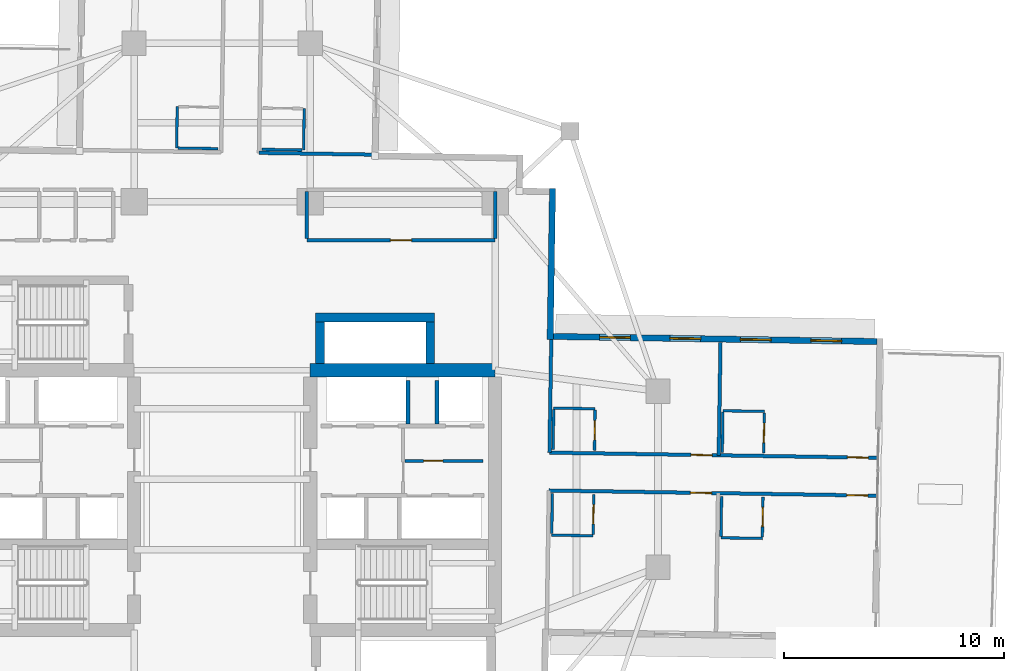
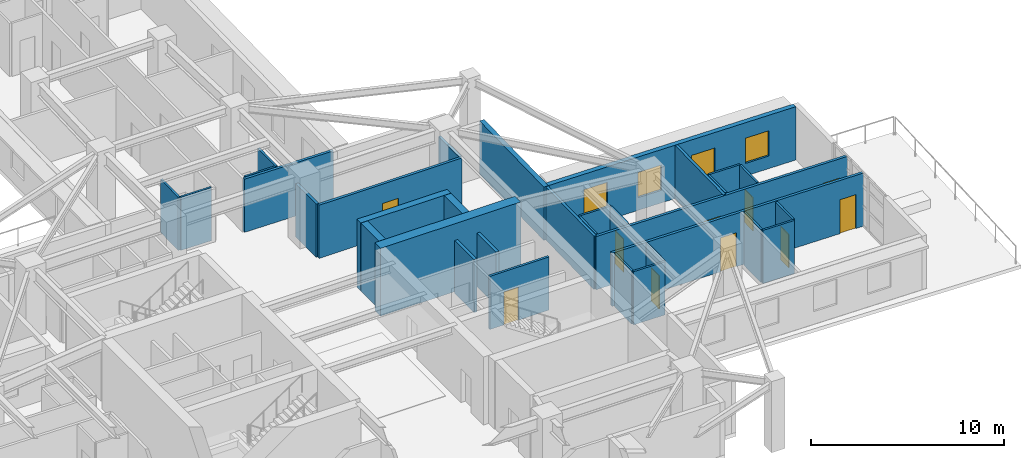
# One storey, part 15 of 22: 33 walls, 10 doors, 4 windows, 14 openings.
"""IFC4 building model written with IfcOpenShell, lengths in metres."""

import ifcopenshell
import ifcopenshell.guid

model = None  # the IFC model being written
_history = None  # IfcOwnerHistory: only IFC2X3 demands one
_inside = {}  # id of a spatial element -> (the spatial element, [elements in it])
_under = {}  # id of a project, library or spatial element -> (it, [spatial elements below it])
_declared = {}  # id of a project -> (the project, [libraries it declares])
_typed = {}  # id of a type object -> (the type object, [elements of that type])
_made_of = {}  # id of a material, layer set ... -> (it, [elements and type objects made of it])


def new_model(schema):
    """Start an empty IFC model of exactly this schema.

    Asked for "IFC4X3", IfcOpenShell would pick the latest addendum, in which some entities
    have other attributes; the version numbers below select the first issue.
    IFC2X3 requires an IfcOwnerHistory on every rooted entity: one is made here for all.
    """
    global model, _history
    if schema == "IFC4X3":
        model = ifcopenshell.file(schema_version=(4, 3, 0, 0))
    else:
        model = ifcopenshell.file(schema=schema)
    _inside.clear()
    _under.clear()
    _declared.clear()
    _typed.clear()
    _made_of.clear()
    _history = None
    if model.schema == "IFC2X3":
        org = make("IfcOrganization", Name="unknown")
        user = make(
            "IfcPersonAndOrganization",
            ThePerson=make("IfcPerson", FamilyName="unknown"),
            TheOrganization=org,
        )
        app = make(
            "IfcApplication",
            ApplicationDeveloper=org,
            Version="unknown",
            ApplicationFullName="unknown",
            ApplicationIdentifier="unknown",
        )
        _history = make(
            "IfcOwnerHistory",
            OwningUser=user,
            OwningApplication=app,
            ChangeAction="ADDED",
            CreationDate=0,
        )
    return model


def make(cls, **values):
    """One entity of the class cls with the attributes given. An attribute that is None is left unset."""
    return model.create_entity(
        cls, **{name: value for name, value in values.items() if value is not None}
    )


def rooted(cls, **values):
    """An entity with a GlobalId (a new one), such as an element, a storey or a relation."""
    return make(cls, GlobalId=ifcopenshell.guid.new(), OwnerHistory=_history, **values)


def si_unit(unit_type, name, prefix=None):
    """IfcSIUnit, for example si_unit("LENGTHUNIT", "METRE", prefix="MILLI")."""
    return make("IfcSIUnit", UnitType=unit_type, Prefix=prefix, Name=name)


def assignment(units):
    """IfcUnitAssignment: the units of a project."""
    return None if units is None else make("IfcUnitAssignment", Units=units)


def point(xyz):
    """IfcCartesianPoint."""
    return None if xyz is None else make("IfcCartesianPoint", Coordinates=xyz)


def direction(xyz):
    """IfcDirection."""
    return None if xyz is None else make("IfcDirection", DirectionRatios=xyz)


def frame(location, z_axis=None, x_axis=None):
    """IfcAxis2Placement3D, a coordinate frame: its origin and axes. An axis left out is left unset."""
    return make(
        "IfcAxis2Placement3D",
        Location=point(location),
        Axis=direction(z_axis),
        RefDirection=direction(x_axis),
    )


def frame_2d(location, x_axis=None):
    """IfcAxis2Placement2D, a coordinate frame in the plane: its origin and x axis."""
    return make(
        "IfcAxis2Placement2D", Location=point(location), RefDirection=direction(x_axis)
    )


def origin():
    """The frame at (0, 0, 0) with its axes left unset."""
    return frame((0.0, 0.0, 0.0))


def place(relative_to, where):
    """IfcLocalPlacement: puts the frame where relative to a parent placement (None: the world)."""
    return make(
        "IfcLocalPlacement", PlacementRelTo=relative_to, RelativePlacement=where
    )


def context(
    kind, dimensions, precision=None, world=None, true_north=None, identifier=None
):
    """IfcGeometricRepresentationContext, for example the 3D "Model" context."""
    return make(
        "IfcGeometricRepresentationContext",
        ContextIdentifier=identifier,
        ContextType=kind,
        CoordinateSpaceDimension=dimensions,
        Precision=precision,
        WorldCoordinateSystem=world,
        TrueNorth=true_north,
    )


def subcontext(parent, identifier, kind, view, scale=None):
    """IfcGeometricRepresentationSubContext, for example "Body" below "Model"."""
    return make(
        "IfcGeometricRepresentationSubContext",
        ContextIdentifier=identifier,
        ContextType=kind,
        ParentContext=parent,
        TargetScale=scale,
        TargetView=view,
    )


def project(units=None, contexts=None):
    """IfcProject with its units and contexts."""
    return rooted(
        "IfcProject",
        Name="project",
        RepresentationContexts=contexts,
        UnitsInContext=assignment(units),
    )


def spatial(cls, under=None, at=None, **own):
    """A site, building, storey or space (cls), placed at a placement, below another one or the project."""
    s = rooted(cls, ObjectPlacement=at, **own)
    if under is not None:
        _under.setdefault(under.id(), (under, []))[1].append(s)
    return s


def profile(cls, at=None, kind="AREA", **sizes):
    """A parametric profile (cls). Its sizes go by their IFC names, for example OverallWidth=200.0."""
    return make(cls, ProfileType=kind, Position=at, **sizes)


def rectangle(**sizes):
    """IfcRectangleProfileDef."""
    return profile("IfcRectangleProfileDef", **sizes)


def extrude(swept, where, along, depth):
    """IfcExtrudedAreaSolid: the profile swept, set in the frame where, extruded along a direction by depth."""
    return make(
        "IfcExtrudedAreaSolid",
        SweptArea=swept,
        Position=where,
        ExtrudedDirection=direction(along),
        Depth=depth,
    )


def shape(context_of_items, identifier, shape_type, items):
    """IfcShapeRepresentation: the items that make up one representation, for example the "Body"."""
    return make(
        "IfcShapeRepresentation",
        ContextOfItems=context_of_items,
        RepresentationIdentifier=identifier,
        RepresentationType=shape_type,
        Items=items,
    )


def material(Name=None, Category=None):
    """IfcMaterial."""
    return make("IfcMaterial", Name=Name, Category=Category)


def layer(
    of_material, thickness, ventilated=None, Name=None, Category=None, Priority=None
):
    """IfcMaterialLayer: one layer of a wall or slab, of a material (None: an air gap)."""
    return make(
        "IfcMaterialLayer",
        Material=of_material,
        LayerThickness=thickness,
        IsVentilated=ventilated,
        Name=Name,
        Category=Category,
        Priority=Priority,
    )


def layer_set(layers, Name=None):
    """IfcMaterialLayerSet."""
    return make("IfcMaterialLayerSet", MaterialLayers=layers, LayerSetName=Name)


def made_of(thing, what):
    """Note that an element or type object is made of a material, layer set ...; save() writes the relation."""
    if what is not None:
        _made_of.setdefault(what.id(), (what, []))[1].append(thing)
    return thing


def type_object(cls, material=None, **own):
    """A type object (cls), such as IfcWallType, which elements share."""
    return made_of(rooted(cls, **own), material)


def element(
    cls,
    number,
    at=None,
    inside=None,
    cuts=None,
    type_object=None,
    material=None,
    context=None,
    identifier="Body",
    shape_type=None,
    held_by="IfcProductDefinitionShape",
    body=None,
    shapes=None,
    **own,
):
    """One element of the class cls, such as IfcWall. Its Tag is "e" and its number.

    at: its placement. inside: the storey or other place that contains it. cuts: it is an
    opening in that element (IfcRelVoidsElement). A single representation is given by context,
    identifier, shape_type and body (its items); several are given by shapes. held_by: the class
    of the entity that holds the representations. save() writes the other relations.
    """
    e = rooted(cls, Tag="e%d" % number, ObjectPlacement=at, **own)
    if body is not None:
        shapes = [shape(context, identifier, shape_type, body)]
    if shapes is not None:
        e.Representation = make(held_by, Representations=shapes)
    if inside is not None:
        _inside.setdefault(inside.id(), (inside, []))[1].append(e)
    if cuts is not None:
        rooted(
            "IfcRelVoidsElement", RelatingBuildingElement=cuts, RelatedOpeningElement=e
        )
    if type_object is not None:
        _typed.setdefault(type_object.id(), (type_object, []))[1].append(e)
    return made_of(e, material)


def fill(opening, filler):
    """IfcRelFillsElement: the door or window that sits in an opening."""
    return rooted(
        "IfcRelFillsElement",
        RelatingOpeningElement=opening,
        RelatedBuildingElement=filler,
    )


def aggregate(whole, parts):
    """IfcRelAggregates: a whole, such as a stair, and the parts it consists of."""
    return rooted("IfcRelAggregates", RelatingObject=whole, RelatedObjects=parts)


def save(model, path):
    """Write the relations noted so far, then the file.

    IfcRelAggregates (storeys below a building ...), IfcRelContainedInSpatialStructure (elements
    in a storey), IfcRelDefinesByType, IfcRelAssociatesMaterial and IfcRelDeclares: one each for
    every whole, place, type object, material and project.
    """
    for whole, parts in _under.values():
        aggregate(whole, parts)
    for where, things in _inside.values():
        rooted(
            "IfcRelContainedInSpatialStructure",
            RelatedElements=things,
            RelatingStructure=where,
        )
    for kind, things in _typed.values():
        rooted("IfcRelDefinesByType", RelatedObjects=things, RelatingType=kind)
    for what, things in _made_of.values():
        rooted("IfcRelAssociatesMaterial", RelatedObjects=things, RelatingMaterial=what)
    for by, libraries in _declared.values():
        rooted("IfcRelDeclares", RelatingContext=by, RelatedDefinitions=libraries)
    model.write(path)


model = new_model("IFC4")

# Units and contexts
model_context = context("Model", 3, precision=1e-05, world=origin(), true_north=direction((0.0, 1.0)))
body_context = subcontext(model_context, "Body", "Model", "MODEL_VIEW")
ifc_project = project(units=[si_unit("LENGTHUNIT", "METRE"), si_unit("AREAUNIT", "SQUARE_METRE"), si_unit("VOLUMEUNIT", "CUBIC_METRE"), si_unit("PLANEANGLEUNIT", "RADIAN"), si_unit("MASSUNIT", "GRAM", prefix="KILO")], contexts=[model_context])

# Site, building, storey
site_placement = place(None, origin())
site = spatial("IfcSite", under=ifc_project, at=site_placement, CompositionType="ELEMENT")
building_placement = place(site_placement, origin())
building = spatial("IfcBuilding", under=site, at=building_placement, Name="Qingluan Cross Belvedere", CompositionType="ELEMENT")
storey_placement = place(building_placement, frame((0.0, 0.0, 100.199951171875)))
storey = spatial("IfcBuildingStorey", under=building, at=storey_placement, Name="L25", CompositionType="ELEMENT", Elevation=100.199951171875)

# Walls
ifc_material_1 = material(Name="Concrete C50", Category="concrete")
ifc_layer_1 = layer(ifc_material_1, 0.449951171875, Name="CoreShearWall_450")
ifc_layer_set_1 = layer_set([ifc_layer_1], Name="Concrete C50")
wall_type_1 = type_object("IfcWallType", Name="CoreShearWall_450", PredefinedType="SHEAR", material=ifc_layer_set_1)
wall_1_placement = place(storey_placement, frame((4.449951171875, 5.2548828125, 0.0), z_axis=(0.0, 0.0, 1.0), x_axis=(0.0, 1.0, 0.0)))
element("IfcWall", 1, at=wall_1_placement, inside=storey, type_object=wall_type_1, Name="Express shuttle core wall L25-W", PredefinedType="SHEAR", context=body_context, shape_type="SweptSolid", body=[
    extrude(rectangle(XDim=1.885009765625, YDim=0.39990234375, at=frame_2d((0.9423828125, 0.0))), origin(), (0.0, 0.0, 1.0), 4.300048828125),
])
wall_2_placement = place(storey_placement, frame((4.25, 7.35009765625, 0.0), z_axis=(0.0, 0.0, 1.0), x_axis=(1.0, 0.0, 0.0)))
element("IfcWall", 2, at=wall_2_placement, inside=storey, type_object=wall_type_1, Name="Express shuttle core wall L25-N", PredefinedType="SHEAR", context=body_context, shape_type="SweptSolid", body=[
    extrude(rectangle(XDim=5.39990234375, YDim=0.39990234375, at=frame_2d((2.699951171875, 0.0))), origin(), (0.0, 0.0, 1.0), 4.300048828125),
])
wall_3_placement = place(storey_placement, frame((9.449951171875, 5.2548828125, 0.0), z_axis=(0.0, 0.0, 1.0), x_axis=(0.0, 1.0, 0.0)))
element("IfcWall", 3, at=wall_3_placement, inside=storey, type_object=wall_type_1, Name="Express shuttle core wall L25-E", PredefinedType="SHEAR", context=body_context, shape_type="SweptSolid", body=[
    extrude(rectangle(XDim=1.885009765625, YDim=0.39990234375, at=frame_2d((0.9423828125, 0.0))), origin(), (0.0, 0.0, 1.0), 4.300048828125),
])
ifc_material_2 = material(Name="Concrete C60", Category="concrete")
ifc_layer_2 = layer(ifc_material_2, 0.60009765625, Name="CoreShearWall_600")
ifc_layer_set_2 = layer_set([ifc_layer_2], Name="Concrete C60")
wall_type_2 = type_object("IfcWallType", Name="CoreShearWall_600", PredefinedType="SHEAR", material=ifc_layer_set_2)
wall_4_placement = place(storey_placement, frame((4.0, 4.949951171875, 0.0), z_axis=(0.0, 0.0, 1.0), x_axis=(1.0, 0.0, 0.0)))
element("IfcWall", 4, at=wall_4_placement, inside=storey, type_object=wall_type_2, Name="Split core E shear wall L25-N", PredefinedType="SHEAR", context=body_context, shape_type="SweptSolid", body=[
    extrude(rectangle(XDim=8.39990234375, YDim=0.60009765625, at=frame_2d((4.199951171875, 0.0))), origin(), (0.0, 0.0, 1.0), 4.300048828125),
])

# Wall, opening, door
ifc_material_3 = material(Name="Gypsum plasterboard on steel stud acoustic partition", Category="steel")
ifc_layer_3 = layer(ifc_material_3, 0.159912109375, Name="CorridorPartition_160")
ifc_layer_set_3 = layer_set([ifc_layer_3], Name="Gypsum plasterboard on steel stud acoustic partition")
wall_type_3 = type_object("IfcWallType", Name="CorridorPartition_160", PredefinedType="PARTITIONING", material=ifc_layer_set_3)
wall_5_placement = place(storey_placement, frame((8.298095703125, 0.830078125, 0.0), z_axis=(0.0, 0.0, 1.0), x_axis=(1.0, 0.0, 0.0)))
wall_5 = element("IfcWall", 5, at=wall_5_placement, inside=storey, type_object=wall_type_3, Name="Partition L25:e", PredefinedType="PARTITIONING", context=body_context, shape_type="SweptSolid", body=[
    extrude(rectangle(XDim=3.552001953125, YDim=0.139892578125, at=frame_2d((1.77587890625, 0.0))), origin(), (0.0, 0.0, 1.0), 3.3701171875),
])
opening_1_placement = place(wall_5_placement, frame((0.85009765625, 0.0, 0.0)))
opening_1 = element("IfcOpeningElement", 6, at=opening_1_placement, cuts=wall_5, Name="Opening FD-B10", PredefinedType="OPENING", context=body_context, shape_type="SweptSolid", body=[
    extrude(rectangle(XDim=0.8798828125, YDim=2.10009765625, at=frame_2d((0.43994140625, 1.050048828125))), frame((0.0, 0.079833984375, 0.0), z_axis=(0.0, -1.0, 0.0), x_axis=(1.0, 0.0, 0.0)), (0.0, 0.0, 1.0), 0.159912109375),
])
ifc_material_4 = material(Name="Steel Class B service fire door", Category="steel")
door_type_1 = type_object("IfcDoorType", Name="RiserServiceFireDoor_FDB", OperationType="NOTDEFINED", PredefinedType="DOOR", material=ifc_material_4)
door_1_placement = place(opening_1_placement, origin())
door_1 = element("IfcDoor", 7, at=door_1_placement, inside=storey, type_object=door_type_1, Name="Service closet inner door L25", OperationType="SINGLE_SWING_LEFT", OverallHeight=2.10009765625, OverallWidth=0.8798828125, PredefinedType="DOOR", context=body_context, shape_type="SweptSolid", body=[
    extrude(rectangle(XDim=0.8798828125, YDim=2.10009765625, at=frame_2d((0.43994140625, 1.050048828125))), frame((0.0, 0.02490234375, 0.0), z_axis=(0.0, -1.0, 0.0), x_axis=(1.0, 0.0, 0.0)), (0.0, 0.0, 1.0), 0.050048828125),
])
fill(opening_1, door_1)

wall_6_placement = place(storey_placement, frame((3.85009765625, 10.85009765625, 0.0), z_axis=(0.0, 0.0, 1.0), x_axis=(1.0, 0.0, 0.0)))
wall_6 = element("IfcWall", 8, at=wall_6_placement, inside=storey, type_object=wall_type_3, Name="Partition L25:sky_concierge:S", PredefinedType="PARTITIONING", context=body_context, shape_type="SweptSolid", body=[
    extrude(rectangle(XDim=8.5498046875, YDim=0.159912109375, at=frame_2d((4.27490234375, 0.0))), origin(), (0.0, 0.0, 1.0), 3.3701171875),
])
opening_2_placement = place(wall_6_placement, frame((3.794921875, 0.0, 0.0)))
opening_2 = element("IfcOpeningElement", 9, at=opening_2_placement, cuts=wall_6, Name="Opening GD-10", PredefinedType="OPENING", context=body_context, shape_type="SweptSolid", body=[
    extrude(rectangle(XDim=0.9599609375, YDim=2.14990234375, at=frame_2d((0.47998046875, 1.074951171875))), frame((0.0, 0.08984375, 0.0), z_axis=(0.0, -1.0, 0.0), x_axis=(1.0, 0.0, 0.0)), (0.0, 0.0, 1.0), 0.179931640625),
])
ifc_material_5 = material(Name="Timber oak fire-rated acoustic guestroom door", Category="wood")
door_type_2 = type_object("IfcDoorType", Name="GuestEntryDoor_FD60", OperationType="NOTDEFINED", PredefinedType="DOOR", material=ifc_material_5)
door_2_placement = place(opening_2_placement, origin())
door_2 = element("IfcDoor", 10, at=door_2_placement, inside=storey, type_object=door_type_2, Name="Sky lobby concierge reception L25 door", OperationType="SINGLE_SWING_LEFT", OverallHeight=2.14990234375, OverallWidth=0.9599609375, PredefinedType="DOOR", context=body_context, shape_type="SweptSolid", body=[
    extrude(rectangle(XDim=0.9599609375, YDim=2.14990234375, at=frame_2d((0.47998046875, 1.074951171875))), frame((0.0, 0.02490234375, 0.0), z_axis=(0.0, -1.0, 0.0), x_axis=(1.0, 0.0, 0.0)), (0.0, 0.0, 1.0), 0.050048828125),
])
fill(opening_2, door_2)

# Walls
for number, where, z_axis, x_axis, name in (
    (11, (3.85009765625, 10.93505859375, 0.0), (0.0, 0.0, 1.0), (0.0, 1.0, 0.0), "Partition L25:sky_concierge:W"),
    (12, (12.39990234375, 10.93505859375, 0.0), (0.0, 0.0, 1.0), (0.0, 1.0, 0.0), "Partition L25:sky_concierge:E"),
):
    element("IfcWall", number, at=place(storey_placement, frame(where, z_axis=z_axis, x_axis=x_axis)), inside=storey, type_object=wall_type_3, Name=name, PredefinedType="PARTITIONING", context=body_context, shape_type="SweptSolid", body=[
        extrude(rectangle(XDim=2.1298828125, YDim=0.159912109375, at=frame_2d((1.06494140625, 0.0))), origin(), (0.0, 0.0, 1.0), 3.3701171875),
    ])

# Wall, openings, doors
wall_7_placement = place(storey_placement, frame((14.870849609375, 1.20654296875, 0.0), z_axis=(0.0, 0.0, 1.0), x_axis=(0.999876771747, -0.015698449601, 0.0)))
wall_7 = element("IfcWall", 13, at=wall_7_placement, inside=storey, type_object=wall_type_3, Name="Partition L25:E:c0", PredefinedType="PARTITIONING", context=body_context, shape_type="SweptSolid", body=[
    extrude(rectangle(XDim=14.929931640625, YDim=0.159912109375, at=frame_2d((7.46484375, 0.0))), origin(), (0.0, 0.0, 1.0), 3.3701171875),
])
opening_3_placement = place(wall_7_placement, frame((6.428955078125, 0.0, 0.0)))
opening_3 = element("IfcOpeningElement", 14, at=opening_3_placement, cuts=wall_7, Name="Opening GD-10", PredefinedType="OPENING", context=body_context, shape_type="SweptSolid", body=[
    extrude(rectangle(XDim=0.9599609375, YDim=2.14990234375, at=frame_2d((0.47998046875, 1.074951171875))), frame((0.0, 0.08984375, 0.0), z_axis=(0.0, -1.0, 0.0), x_axis=(1.0, 0.0, 0.0)), (0.0, 0.0, 1.0), 0.179931640625),
])
opening_4_placement = place(wall_7_placement, frame((13.530029296875, 0.0, 0.0)))
opening_4 = element("IfcOpeningElement", 15, at=opening_4_placement, cuts=wall_7, Name="Opening GD-10", PredefinedType="OPENING", context=body_context, shape_type="SweptSolid", body=[
    extrude(rectangle(XDim=0.9599609375, YDim=2.14990234375, at=frame_2d((0.47998046875, 1.074951171875))), frame((0.0, 0.08984375, 0.0), z_axis=(0.0, -1.0, 0.0), x_axis=(1.0, 0.0, 0.0)), (0.0, 0.0, 1.0), 0.179931640625),
])
door_3_placement = place(opening_3_placement, origin())
door_3 = element("IfcDoor", 16, at=door_3_placement, inside=storey, type_object=door_type_2, Name="Guest entry fire door 2501", OperationType="SINGLE_SWING_LEFT", OverallHeight=2.14990234375, OverallWidth=0.9599609375, PredefinedType="DOOR", context=body_context, shape_type="SweptSolid", body=[
    extrude(rectangle(XDim=0.9599609375, YDim=2.14990234375, at=frame_2d((0.47998046875, 1.074951171875))), frame((0.0, 0.02490234375, 0.0), z_axis=(0.0, -1.0, 0.0), x_axis=(1.0, 0.0, 0.0)), (0.0, 0.0, 1.0), 0.050048828125),
])
fill(opening_3, door_3)
door_4_placement = place(opening_4_placement, origin())
door_4 = element("IfcDoor", 17, at=door_4_placement, inside=storey, type_object=door_type_2, Name="Guest entry fire door 2502", OperationType="SINGLE_SWING_LEFT", OverallHeight=2.14990234375, OverallWidth=0.9599609375, PredefinedType="DOOR", context=body_context, shape_type="SweptSolid", body=[
    extrude(rectangle(XDim=0.9599609375, YDim=2.14990234375, at=frame_2d((0.47998046875, 1.074951171875))), frame((0.0, 0.02490234375, 0.0), z_axis=(0.0, -1.0, 0.0), x_axis=(1.0, 0.0, 0.0)), (0.0, 0.0, 1.0), 0.050048828125),
])
fill(opening_4, door_4)

# Walls
wall_8_placement = place(storey_placement, frame((14.870849609375, 1.20654296875, 0.0), z_axis=(0.0, 0.0, 1.0), x_axis=(0.015698892967, 0.999876764786, 0.0)))
element("IfcWall", 18, at=wall_8_placement, inside=storey, type_object=wall_type_3, Name="Partition L25:E:s0", PredefinedType="PARTITIONING", context=body_context, shape_type="SweptSolid", body=[
    extrude(rectangle(XDim=5.132080078125, YDim=0.159912109375, at=frame_2d((2.56591796875, 0.0))), origin(), (0.0, 0.0, 1.0), 3.3701171875),
])
wall_9_placement = place(storey_placement, frame((22.558837890625, 1.085693359375, 0.0), z_axis=(0.0, 0.0, 1.0), x_axis=(0.01569814626, 0.99987677651, 0.0)))
element("IfcWall", 19, at=wall_9_placement, inside=storey, type_object=wall_type_3, Name="Partition L25:E:d0_0", PredefinedType="PARTITIONING", context=body_context, shape_type="SweptSolid", body=[
    extrude(rectangle(XDim=5.13232421875, YDim=0.159912109375, at=frame_2d((2.566162109375, 0.0))), origin(), (0.0, 0.0, 1.0), 3.3701171875),
])

# Wall, openings, doors
wall_10_placement = place(storey_placement, frame((14.84375, -0.51318359375, 0.0), z_axis=(0.0, 0.0, 1.0), x_axis=(0.999876518974, -0.015714541176, 0.0)))
wall_10 = element("IfcWall", 20, at=wall_10_placement, inside=storey, type_object=wall_type_3, Name="Partition L25:E:c1", PredefinedType="PARTITIONING", context=body_context, shape_type="SweptSolid", body=[
    extrude(rectangle(XDim=14.93017578125, YDim=0.159912109375, at=frame_2d((7.465087890625, 0.0))), origin(), (0.0, 0.0, 1.0), 3.3701171875),
])
opening_5_placement = place(wall_10_placement, frame((6.428955078125, 0.0, 0.0)))
opening_5 = element("IfcOpeningElement", 21, at=opening_5_placement, cuts=wall_10, Name="Opening GD-10", PredefinedType="OPENING", context=body_context, shape_type="SweptSolid", body=[
    extrude(rectangle(XDim=0.9599609375, YDim=2.14990234375, at=frame_2d((0.47998046875, 1.074951171875))), frame((0.0, 0.08984375, 0.0), z_axis=(0.0, -1.0, 0.0), x_axis=(1.0, 0.0, 0.0)), (0.0, 0.0, 1.0), 0.179931640625),
])
opening_6_placement = place(wall_10_placement, frame((13.530029296875, 0.0, 0.0)))
opening_6 = element("IfcOpeningElement", 22, at=opening_6_placement, cuts=wall_10, Name="Opening GD-10", PredefinedType="OPENING", context=body_context, shape_type="SweptSolid", body=[
    extrude(rectangle(XDim=0.9599609375, YDim=2.14990234375, at=frame_2d((0.47998046875, 1.074951171875))), frame((0.0, 0.08984375, 0.0), z_axis=(0.0, -1.0, 0.0), x_axis=(1.0, 0.0, 0.0)), (0.0, 0.0, 1.0), 0.179931640625),
])
door_5_placement = place(opening_5_placement, origin())
door_5 = element("IfcDoor", 23, at=door_5_placement, inside=storey, type_object=door_type_2, Name="Guest entry fire door 2503", OperationType="SINGLE_SWING_LEFT", OverallHeight=2.14990234375, OverallWidth=0.9599609375, PredefinedType="DOOR", context=body_context, shape_type="SweptSolid", body=[
    extrude(rectangle(XDim=0.9599609375, YDim=2.14990234375, at=frame_2d((0.47998046875, 1.074951171875))), frame((0.0, 0.02490234375, 0.0), z_axis=(0.0, -1.0, 0.0), x_axis=(1.0, 0.0, 0.0)), (0.0, 0.0, 1.0), 0.050048828125),
])
fill(opening_5, door_5)
door_6_placement = place(opening_6_placement, origin())
door_6 = element("IfcDoor", 24, at=door_6_placement, inside=storey, type_object=door_type_2, Name="Guest entry fire door 2504", OperationType="SINGLE_SWING_LEFT", OverallHeight=2.14990234375, OverallWidth=0.9599609375, PredefinedType="DOOR", context=body_context, shape_type="SweptSolid", body=[
    extrude(rectangle(XDim=0.9599609375, YDim=2.14990234375, at=frame_2d((0.47998046875, 1.074951171875))), frame((0.0, 0.02490234375, 0.0), z_axis=(0.0, -1.0, 0.0), x_axis=(1.0, 0.0, 0.0)), (0.0, 0.0, 1.0), 0.050048828125),
])
fill(opening_6, door_6)

# Wall
wall_11_placement = place(storey_placement, frame((1.673095703125, 14.825439453125, 0.0), z_axis=(0.0, 0.0, 1.0), x_axis=(0.999877138082, -0.015675099418, 0.0)))
element("IfcWall", 25, at=wall_11_placement, inside=storey, type_object=wall_type_3, Name="Partition L25:N:s0", PredefinedType="PARTITIONING", context=body_context, shape_type="SweptSolid", body=[
    extrude(rectangle(XDim=5.280029296875, YDim=0.159912109375, at=frame_2d((2.64013671875, 0.0))), origin(), (0.0, 0.0, 1.0), 3.3701171875),
])

# Wall, opening, door
ifc_material_6 = material(Name="Moisture-resistant gypsum board lining")
ifc_layer_4 = layer(ifc_material_6, 0.1201171875, Name="EnsuiteWetPartition_120")
ifc_layer_set_4 = layer_set([ifc_layer_4], Name="Moisture-resistant gypsum board lining")
wall_type_4 = type_object("IfcWallType", Name="EnsuiteWetPartition_120", PredefinedType="PARTITIONING", material=ifc_layer_set_4)
wall_12_placement = place(storey_placement, frame((16.91259765625, 1.314453125, 0.0), z_axis=(0.0, 0.0, 1.0), x_axis=(0.015828443418, 0.999874722342, 0.0)))
wall_12 = element("IfcWall", 26, at=wall_12_placement, inside=storey, type_object=wall_type_4, Name="Partition L25:E:bs0_0", PredefinedType="PARTITIONING", context=body_context, shape_type="SweptSolid", body=[
    extrude(rectangle(XDim=1.820068359375, YDim=0.1201171875, at=frame_2d((0.91015625, 0.0))), origin(), (0.0, 0.0, 1.0), 3.3701171875),
])
opening_7_placement = place(wall_12_placement, frame((0.469970703125, 0.0, 0.0)))
opening_7 = element("IfcOpeningElement", 27, at=opening_7_placement, cuts=wall_12, Name="Opening BD-09", PredefinedType="OPENING", context=body_context, shape_type="SweptSolid", body=[
    extrude(rectangle(XDim=0.8798828125, YDim=2.10009765625, at=frame_2d((0.43994140625, 1.050048828125))), frame((0.0, 0.070068359375, 0.0), z_axis=(0.0, -1.0, 0.0), x_axis=(1.0, 0.0, 0.0)), (0.0, 0.0, 1.0), 0.14013671875),
])
ifc_material_7 = material(Name="Moisture-sealed timber en-suite door", Category="wood")
door_type_3 = type_object("IfcDoorType", Name="BathroomDoor_880", OperationType="NOTDEFINED", PredefinedType="DOOR", material=ifc_material_7)
door_7_placement = place(opening_7_placement, origin())
door_7 = element("IfcDoor", 28, at=door_7_placement, inside=storey, type_object=door_type_3, Name="Bathroom door 2501", OperationType="SINGLE_SWING_RIGHT", OverallHeight=2.10009765625, OverallWidth=0.8798828125, PredefinedType="DOOR", context=body_context, shape_type="SweptSolid", body=[
    extrude(rectangle(XDim=0.8798828125, YDim=2.10009765625, at=frame_2d((0.43994140625, 1.050048828125))), frame((0.0, 0.02490234375, 0.0), z_axis=(0.0, -1.0, 0.0), x_axis=(1.0, 0.0, 0.0)), (0.0, 0.0, 1.0), 0.050048828125),
])
fill(opening_7, door_7)

# Walls
wall_13_placement = place(storey_placement, frame((15.032958984375, 1.343994140625, 0.0), z_axis=(0.0, 0.0, 1.0), x_axis=(0.015694337248, 0.999876836305, 0.0)))
element("IfcWall", 29, at=wall_13_placement, inside=storey, type_object=wall_type_4, Name="Partition L25:E:bw0_0", PredefinedType="PARTITIONING", context=body_context, shape_type="SweptSolid", body=[
    extrude(rectangle(XDim=1.820068359375, YDim=0.1201171875, at=frame_2d((0.91015625, 0.0))), origin(), (0.0, 0.0, 1.0), 3.3701171875),
])
wall_14_placement = place(storey_placement, frame((15.0625, 3.228759765625, 0.0), z_axis=(0.0, 0.0, 1.0), x_axis=(0.999876553475, -0.01571234584, 0.0)))
element("IfcWall", 30, at=wall_14_placement, inside=storey, type_object=wall_type_4, Name="Partition L25:E:bn0_0", PredefinedType="PARTITIONING", context=body_context, shape_type="SweptSolid", body=[
    extrude(rectangle(XDim=1.880126953125, YDim=0.1201171875, at=frame_2d((0.93994140625, 0.0))), origin(), (0.0, 0.0, 1.0), 3.3701171875),
])

# Wall, opening, door
wall_15_placement = place(storey_placement, frame((24.600830078125, 1.193603515625, 0.0), z_axis=(0.0, 0.0, 1.0), x_axis=(0.015694337248, 0.999876836305, 0.0)))
wall_15 = element("IfcWall", 31, at=wall_15_placement, inside=storey, type_object=wall_type_4, Name="Partition L25:E:bs0_1", PredefinedType="PARTITIONING", context=body_context, shape_type="SweptSolid", body=[
    extrude(rectangle(XDim=1.820068359375, YDim=0.1201171875, at=frame_2d((0.91015625, 0.0))), origin(), (0.0, 0.0, 1.0), 3.3701171875),
])
opening_8_placement = place(wall_15_placement, frame((0.469970703125, 0.0, 0.0)))
opening_8 = element("IfcOpeningElement", 32, at=opening_8_placement, cuts=wall_15, Name="Opening BD-09", PredefinedType="OPENING", context=body_context, shape_type="SweptSolid", body=[
    extrude(rectangle(XDim=0.8798828125, YDim=2.10009765625, at=frame_2d((0.43994140625, 1.050048828125))), frame((0.0, 0.070068359375, 0.0), z_axis=(0.0, -1.0, 0.0), x_axis=(1.0, 0.0, 0.0)), (0.0, 0.0, 1.0), 0.14013671875),
])
door_8_placement = place(opening_8_placement, origin())
door_8 = element("IfcDoor", 33, at=door_8_placement, inside=storey, type_object=door_type_3, Name="Bathroom door 2502", OperationType="SINGLE_SWING_RIGHT", OverallHeight=2.10009765625, OverallWidth=0.8798828125, PredefinedType="DOOR", context=body_context, shape_type="SweptSolid", body=[
    extrude(rectangle(XDim=0.8798828125, YDim=2.10009765625, at=frame_2d((0.43994140625, 1.050048828125))), frame((0.0, 0.02490234375, 0.0), z_axis=(0.0, -1.0, 0.0), x_axis=(1.0, 0.0, 0.0)), (0.0, 0.0, 1.0), 0.050048828125),
])
fill(opening_8, door_8)

# Walls
wall_16_placement = place(storey_placement, frame((22.720947265625, 1.223388671875, 0.0), z_axis=(0.0, 0.0, 1.0), x_axis=(0.015696442504, 0.999876803258, 0.0)))
element("IfcWall", 34, at=wall_16_placement, inside=storey, type_object=wall_type_4, Name="Partition L25:E:bw0_1", PredefinedType="PARTITIONING", context=body_context, shape_type="SweptSolid", body=[
    extrude(rectangle(XDim=1.81982421875, YDim=0.1201171875, at=frame_2d((0.909912109375, 0.0))), origin(), (0.0, 0.0, 1.0), 3.3701171875),
])
wall_17_placement = place(storey_placement, frame((22.75048828125, 3.10791015625, 0.0), z_axis=(0.0, 0.0, 1.0), x_axis=(0.999878585111, -0.015582523404, 0.0)))
element("IfcWall", 35, at=wall_17_placement, inside=storey, type_object=wall_type_4, Name="Partition L25:E:bn0_1", PredefinedType="PARTITIONING", context=body_context, shape_type="SweptSolid", body=[
    extrude(rectangle(XDim=1.880126953125, YDim=0.1201171875, at=frame_2d((0.93994140625, 0.0))), origin(), (0.0, 0.0, 1.0), 3.3701171875),
])

# Wall, opening, door
wall_18_placement = place(storey_placement, frame((16.852783203125, -2.5048828125, 0.0), z_axis=(0.0, 0.0, 1.0), x_axis=(0.015696442504, 0.999876803258, 0.0)))
wall_18 = element("IfcWall", 36, at=wall_18_placement, inside=storey, type_object=wall_type_4, Name="Partition L25:E:bs1_0", PredefinedType="PARTITIONING", context=body_context, shape_type="SweptSolid", body=[
    extrude(rectangle(XDim=1.81982421875, YDim=0.1201171875, at=frame_2d((0.909912109375, 0.0))), origin(), (0.0, 0.0, 1.0), 3.3701171875),
])
opening_9_placement = place(wall_18_placement, frame((0.469970703125, 0.0, 0.0)))
opening_9 = element("IfcOpeningElement", 37, at=opening_9_placement, cuts=wall_18, Name="Opening BD-09", PredefinedType="OPENING", context=body_context, shape_type="SweptSolid", body=[
    extrude(rectangle(XDim=0.8798828125, YDim=2.10009765625, at=frame_2d((0.43994140625, 1.050048828125))), frame((0.0, 0.070068359375, 0.0), z_axis=(0.0, -1.0, 0.0), x_axis=(1.0, 0.0, 0.0)), (0.0, 0.0, 1.0), 0.14013671875),
])
door_9_placement = place(opening_9_placement, origin())
door_9 = element("IfcDoor", 38, at=door_9_placement, inside=storey, type_object=door_type_3, Name="Bathroom door 2503", OperationType="SINGLE_SWING_RIGHT", OverallHeight=2.10009765625, OverallWidth=0.8798828125, PredefinedType="DOOR", context=body_context, shape_type="SweptSolid", body=[
    extrude(rectangle(XDim=0.8798828125, YDim=2.10009765625, at=frame_2d((0.43994140625, 1.050048828125))), frame((0.0, 0.02490234375, 0.0), z_axis=(0.0, -1.0, 0.0), x_axis=(1.0, 0.0, 0.0)), (0.0, 0.0, 1.0), 0.050048828125),
])
fill(opening_9, door_9)

# Walls
wall_19_placement = place(storey_placement, frame((14.972900390625, -2.4755859375, 0.0), z_axis=(0.0, 0.0, 1.0), x_axis=(0.015828443418, 0.999874722342, 0.0)))
element("IfcWall", 39, at=wall_19_placement, inside=storey, type_object=wall_type_4, Name="Partition L25:E:bw1_0", PredefinedType="PARTITIONING", context=body_context, shape_type="SweptSolid", body=[
    extrude(rectangle(XDim=1.820068359375, YDim=0.1201171875, at=frame_2d((0.91015625, 0.0))), origin(), (0.0, 0.0, 1.0), 3.3701171875),
])
wall_20_placement = place(storey_placement, frame((14.971923828125, -2.54052734375, 0.0), z_axis=(0.0, 0.0, 1.0), x_axis=(0.999876553475, -0.01571234584, 0.0)))
element("IfcWall", 40, at=wall_20_placement, inside=storey, type_object=wall_type_4, Name="Partition L25:E:bc1_0", PredefinedType="PARTITIONING", context=body_context, shape_type="SweptSolid", body=[
    extrude(rectangle(XDim=1.880126953125, YDim=0.1201171875, at=frame_2d((0.93994140625, 0.0))), origin(), (0.0, 0.0, 1.0), 3.3701171875),
])

# Wall, opening, door
wall_21_placement = place(storey_placement, frame((24.540771484375, -2.625732421875, 0.0), z_axis=(0.0, 0.0, 1.0), x_axis=(0.015694337248, 0.999876836305, 0.0)))
wall_21 = element("IfcWall", 41, at=wall_21_placement, inside=storey, type_object=wall_type_4, Name="Partition L25:E:bs1_1", PredefinedType="PARTITIONING", context=body_context, shape_type="SweptSolid", body=[
    extrude(rectangle(XDim=1.820068359375, YDim=0.1201171875, at=frame_2d((0.91015625, 0.0))), origin(), (0.0, 0.0, 1.0), 3.3701171875),
])
opening_10_placement = place(wall_21_placement, frame((0.469970703125, 0.0, 0.0)))
opening_10 = element("IfcOpeningElement", 42, at=opening_10_placement, cuts=wall_21, Name="Opening BD-09", PredefinedType="OPENING", context=body_context, shape_type="SweptSolid", body=[
    extrude(rectangle(XDim=0.8798828125, YDim=2.10009765625, at=frame_2d((0.43994140625, 1.050048828125))), frame((0.0, 0.070068359375, 0.0), z_axis=(0.0, -1.0, 0.0), x_axis=(1.0, 0.0, 0.0)), (0.0, 0.0, 1.0), 0.14013671875),
])
door_10_placement = place(opening_10_placement, origin())
door_10 = element("IfcDoor", 43, at=door_10_placement, inside=storey, type_object=door_type_3, Name="Bathroom door 2504", OperationType="SINGLE_SWING_RIGHT", OverallHeight=2.10009765625, OverallWidth=0.8798828125, PredefinedType="DOOR", context=body_context, shape_type="SweptSolid", body=[
    extrude(rectangle(XDim=0.8798828125, YDim=2.10009765625, at=frame_2d((0.43994140625, 1.050048828125))), frame((0.0, 0.02490234375, 0.0), z_axis=(0.0, -1.0, 0.0), x_axis=(1.0, 0.0, 0.0)), (0.0, 0.0, 1.0), 0.050048828125),
])
fill(opening_10, door_10)

# Walls
wall_22_placement = place(storey_placement, frame((22.660888671875, -2.59619140625, 0.0), z_axis=(0.0, 0.0, 1.0), x_axis=(0.015830566654, 0.999874688728, 0.0)))
element("IfcWall", 44, at=wall_22_placement, inside=storey, type_object=wall_type_4, Name="Partition L25:E:bw1_1", PredefinedType="PARTITIONING", context=body_context, shape_type="SweptSolid", body=[
    extrude(rectangle(XDim=1.81982421875, YDim=0.1201171875, at=frame_2d((0.909912109375, 0.0))), origin(), (0.0, 0.0, 1.0), 3.3701171875),
])
wall_23_placement = place(storey_placement, frame((22.659912109375, -2.661376953125, 0.0), z_axis=(0.0, 0.0, 1.0), x_axis=(0.999876553475, -0.01571234584, 0.0)))
element("IfcWall", 45, at=wall_23_placement, inside=storey, type_object=wall_type_4, Name="Partition L25:E:bc1_1", PredefinedType="PARTITIONING", context=body_context, shape_type="SweptSolid", body=[
    extrude(rectangle(XDim=1.880126953125, YDim=0.1201171875, at=frame_2d((0.93994140625, 0.0))), origin(), (0.0, 0.0, 1.0), 3.3701171875),
])
wall_24_placement = place(storey_placement, frame((1.815673828125, 14.9833984375, 0.0), z_axis=(0.0, 0.0, 1.0), x_axis=(0.999874688728, -0.015830566654, 0.0)))
element("IfcWall", 46, at=wall_24_placement, inside=storey, type_object=wall_type_4, Name="Partition L25:N:bw0_0", PredefinedType="PARTITIONING", context=body_context, shape_type="SweptSolid", body=[
    extrude(rectangle(XDim=1.81982421875, YDim=0.1201171875, at=frame_2d((0.909912109375, 0.0))), origin(), (0.0, 0.0, 1.0), 3.3701171875),
])
wall_25_placement = place(storey_placement, frame((3.7001953125, 14.95361328125, 0.0), z_axis=(0.0, 0.0, 1.0), x_axis=(0.015842167482, 0.99987450499, 0.0)))
element("IfcWall", 47, at=wall_25_placement, inside=storey, type_object=wall_type_4, Name="Partition L25:N:bn0_0", PredefinedType="PARTITIONING", context=body_context, shape_type="SweptSolid", body=[
    extrude(rectangle(XDim=1.880126953125, YDim=0.1201171875, at=frame_2d((0.93994140625, 0.0))), origin(), (0.0, 0.0, 1.0), 3.3701171875),
])
wall_26_placement = place(storey_placement, frame((-2.00390625, 15.043212890625, 0.0), z_axis=(0.0, 0.0, 1.0), x_axis=(0.999876836305, -0.015694337248, 0.0)))
element("IfcWall", 48, at=wall_26_placement, inside=storey, type_object=wall_type_4, Name="Partition L25:N:bw1_0", PredefinedType="PARTITIONING", context=body_context, shape_type="SweptSolid", body=[
    extrude(rectangle(XDim=1.820068359375, YDim=0.1201171875, at=frame_2d((0.91015625, 0.0))), origin(), (0.0, 0.0, 1.0), 3.3701171875),
])
wall_27_placement = place(storey_placement, frame((-2.06884765625, 15.04443359375, 0.0), z_axis=(0.0, 0.0, 1.0), x_axis=(0.015714386166, 0.99987652141, 0.0)))
element("IfcWall", 49, at=wall_27_placement, inside=storey, type_object=wall_type_4, Name="Partition L25:N:bc1_0", PredefinedType="PARTITIONING", context=body_context, shape_type="SweptSolid", body=[
    extrude(rectangle(XDim=1.8798828125, YDim=0.1201171875, at=frame_2d((0.93994140625, 0.0))), origin(), (0.0, 0.0, 1.0), 3.3701171875),
])

# Wall, openings, windows
ifc_material_8 = material(Name="Precast concrete C45", Category="concrete")
ifc_layer_5 = layer(ifc_material_8, 0.280029296875, Name="PrecastFacadeWall_280")
ifc_layer_set_5 = layer_set([ifc_layer_5], Name="Precast concrete C45")
wall_type_5 = type_object("IfcWallType", Name="PrecastFacadeWall_280", PredefinedType="STANDARD", material=ifc_layer_set_5)
wall_28_placement = place(storey_placement, frame((29.741943359375, 6.253662109375, 0.0), z_axis=(0.0, 0.0, 1.0), x_axis=(-0.999876569875, 0.015711302158, 0.0)))
wall_28 = element("IfcWall", 50, at=wall_28_placement, inside=storey, type_object=wall_type_5, Name="Facade wall L25-EB", PredefinedType="STANDARD", context=body_context, shape_type="SweptSolid", body=[
    extrude(rectangle(XDim=14.699951171875, YDim=0.280029296875, at=frame_2d((7.35009765625, 0.0))), origin(), (0.0, 0.0, 1.0), 3.380126953125),
])
opening_11_placement = place(wall_28_placement, frame((1.60009765625, 0.0, 0.800048828125)))
opening_11 = element("IfcOpeningElement", 51, at=opening_11_placement, cuts=wall_28, Name="Opening W-01", PredefinedType="OPENING", context=body_context, shape_type="SweptSolid", body=[
    extrude(rectangle(XDim=1.39990234375, YDim=1.60009765625, at=frame_2d((0.699951171875, 0.800048828125))), frame((0.0, 0.14990234375, 0.0), z_axis=(0.0, -1.0, 0.0), x_axis=(1.0, 0.0, 0.0)), (0.0, 0.0, 1.0), 0.300048828125),
])
opening_12_placement = place(wall_28_placement, frame((4.800048828125, 0.0, 0.800048828125)))
opening_12 = element("IfcOpeningElement", 52, at=opening_12_placement, cuts=wall_28, Name="Opening W-01", PredefinedType="OPENING", context=body_context, shape_type="SweptSolid", body=[
    extrude(rectangle(XDim=1.39990234375, YDim=1.60009765625, at=frame_2d((0.699951171875, 0.800048828125))), frame((0.0, 0.14990234375, 0.0), z_axis=(0.0, -1.0, 0.0), x_axis=(1.0, 0.0, 0.0)), (0.0, 0.0, 1.0), 0.300048828125),
])
opening_13_placement = place(wall_28_placement, frame((8.0, 0.0, 0.800048828125)))
opening_13 = element("IfcOpeningElement", 53, at=opening_13_placement, cuts=wall_28, Name="Opening W-01", PredefinedType="OPENING", context=body_context, shape_type="SweptSolid", body=[
    extrude(rectangle(XDim=1.39990234375, YDim=1.60009765625, at=frame_2d((0.699951171875, 0.800048828125))), frame((0.0, 0.14990234375, 0.0), z_axis=(0.0, -1.0, 0.0), x_axis=(1.0, 0.0, 0.0)), (0.0, 0.0, 1.0), 0.300048828125),
])
opening_14_placement = place(wall_28_placement, frame((11.199951171875, 0.0, 0.800048828125)))
opening_14 = element("IfcOpeningElement", 54, at=opening_14_placement, cuts=wall_28, Name="Opening W-01", PredefinedType="OPENING", context=body_context, shape_type="SweptSolid", body=[
    extrude(rectangle(XDim=1.39990234375, YDim=1.60009765625, at=frame_2d((0.699951171875, 0.800048828125))), frame((0.0, 0.14990234375, 0.0), z_axis=(0.0, -1.0, 0.0), x_axis=(1.0, 0.0, 0.0)), (0.0, 0.0, 1.0), 0.300048828125),
])
ifc_material_9 = material(Name="Thermally broken triple Low-E glass in aluminium frame", Category="aluminium")
window_type = type_object("IfcWindowType", Name="TriRibbonWin_1400x1600", PartitioningType="SINGLE_PANEL", PredefinedType="WINDOW", material=ifc_material_9)
window_1_placement = place(opening_11_placement, origin())
window_1 = element("IfcWindow", 55, at=window_1_placement, inside=storey, type_object=window_type, Name="Ribbon window L25-EB-1", OverallHeight=1.60009765625, OverallWidth=1.39990234375, PartitioningType="SINGLE_PANEL", PredefinedType="WINDOW", context=body_context, shape_type="SweptSolid", body=[
    extrude(rectangle(XDim=1.39990234375, YDim=1.60009765625, at=frame_2d((0.699951171875, 0.800048828125))), frame((0.0, 0.030029296875, 0.0), z_axis=(0.0, -1.0, 0.0), x_axis=(1.0, 0.0, 0.0)), (0.0, 0.0, 1.0), 0.06005859375),
])
fill(opening_11, window_1)
window_2_placement = place(opening_12_placement, origin())
window_2 = element("IfcWindow", 56, at=window_2_placement, inside=storey, type_object=window_type, Name="Ribbon window L25-EB-2", OverallHeight=1.60009765625, OverallWidth=1.39990234375, PartitioningType="SINGLE_PANEL", PredefinedType="WINDOW", context=body_context, shape_type="SweptSolid", body=[
    extrude(rectangle(XDim=1.39990234375, YDim=1.60009765625, at=frame_2d((0.699951171875, 0.800048828125))), frame((0.0, 0.030029296875, 0.0), z_axis=(0.0, -1.0, 0.0), x_axis=(1.0, 0.0, 0.0)), (0.0, 0.0, 1.0), 0.06005859375),
])
fill(opening_12, window_2)
window_3_placement = place(opening_13_placement, origin())
window_3 = element("IfcWindow", 57, at=window_3_placement, inside=storey, type_object=window_type, Name="Ribbon window L25-EB-3", OverallHeight=1.60009765625, OverallWidth=1.39990234375, PartitioningType="SINGLE_PANEL", PredefinedType="WINDOW", context=body_context, shape_type="SweptSolid", body=[
    extrude(rectangle(XDim=1.39990234375, YDim=1.60009765625, at=frame_2d((0.699951171875, 0.800048828125))), frame((0.0, 0.030029296875, 0.0), z_axis=(0.0, -1.0, 0.0), x_axis=(1.0, 0.0, 0.0)), (0.0, 0.0, 1.0), 0.06005859375),
])
fill(opening_13, window_3)
window_4_placement = place(opening_14_placement, origin())
window_4 = element("IfcWindow", 58, at=window_4_placement, inside=storey, type_object=window_type, Name="Ribbon window L25-EB-4", OverallHeight=1.60009765625, OverallWidth=1.39990234375, PartitioningType="SINGLE_PANEL", PredefinedType="WINDOW", context=body_context, shape_type="SweptSolid", body=[
    extrude(rectangle(XDim=1.39990234375, YDim=1.60009765625, at=frame_2d((0.699951171875, 0.800048828125))), frame((0.0, 0.030029296875, 0.0), z_axis=(0.0, -1.0, 0.0), x_axis=(1.0, 0.0, 0.0)), (0.0, 0.0, 1.0), 0.06005859375),
])
fill(opening_14, window_4)

# Walls
wall_29_placement = place(storey_placement, frame((14.901611328125, 6.3466796875, 0.0), z_axis=(0.0, 0.0, 1.0), x_axis=(0.015694809807, 0.999876828887, 0.0)))
element("IfcWall", 59, at=wall_29_placement, inside=storey, type_object=wall_type_5, Name="Corner wall L25-NE1", PredefinedType="STANDARD", context=body_context, shape_type="SweptSolid", body=[
    extrude(rectangle(XDim=6.85986328125, YDim=0.280029296875, at=frame_2d((3.429931640625, 0.0))), origin(), (0.0, 0.0, 1.0), 3.380126953125),
])
ifc_material_10 = material(Name="Concrete C40", Category="concrete")
ifc_layer_6 = layer(ifc_material_10, 0.219970703125, Name="ShaftEnclosureWall_250")
ifc_layer_set_6 = layer_set([ifc_layer_6], Name="Concrete C40")
wall_type_6 = type_object("IfcWallType", Name="ShaftEnclosureWall_250", PredefinedType="SOLIDWALL", material=ifc_layer_set_6)
for number, where, z_axis, x_axis, name in (
    (60, (8.43994140625, 2.5, 0.0), (0.0, 0.0, 1.0), (0.0, 1.0, 0.0), "Hoistway enclosure divider LP4E L25"),
    (61, (9.760009765625, 2.5, 0.0), (0.0, 0.0, 1.0), (0.0, 1.0, 0.0), "Hoistway enclosure divider FL2W L25"),
):
    element("IfcWall", number, at=place(storey_placement, frame(where, z_axis=z_axis, x_axis=x_axis)), inside=storey, type_object=wall_type_6, Name=name, PredefinedType="SOLIDWALL", context=body_context, shape_type="SweptSolid", body=[
        extrude(rectangle(XDim=1.989990234375, YDim=0.179931640625, at=frame_2d((0.9951171875, 0.0))), origin(), (0.0, 0.0, 1.0), 3.3701171875),
    ])

save(model, "model.ifc")
